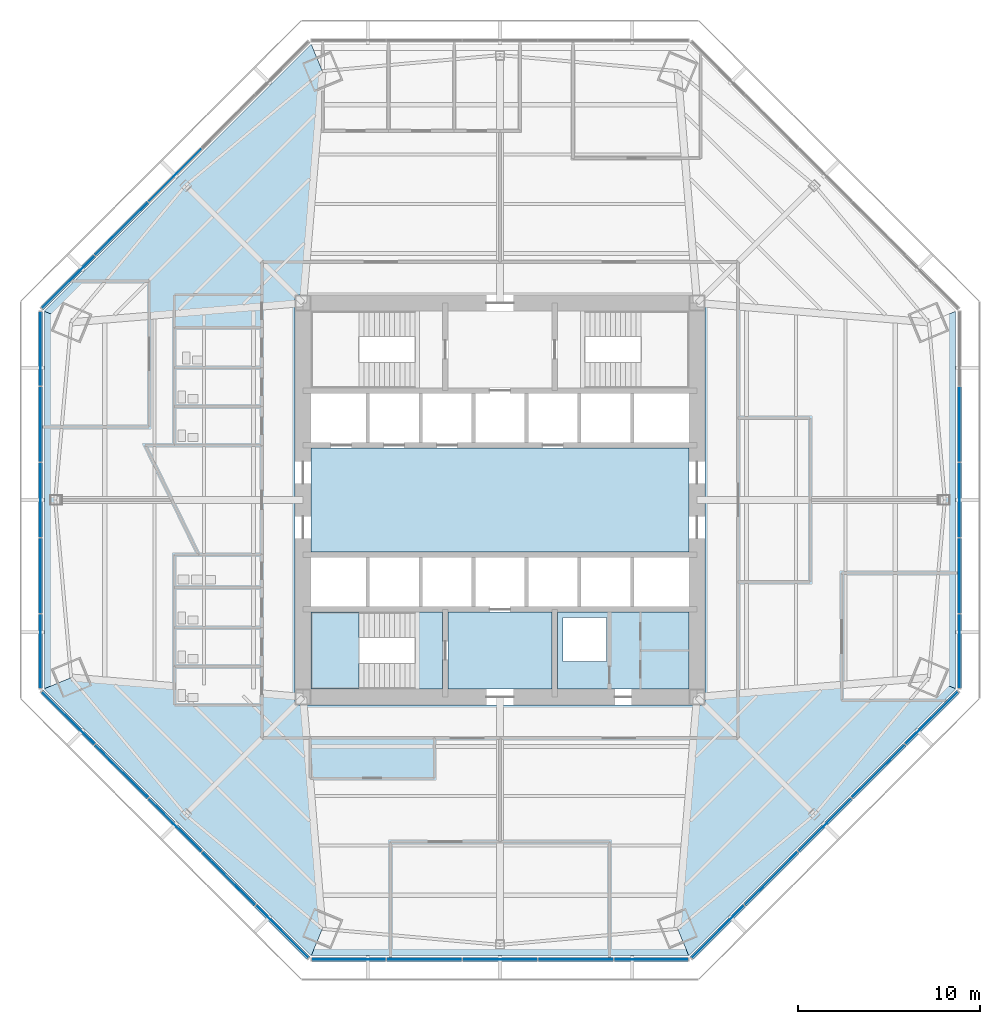
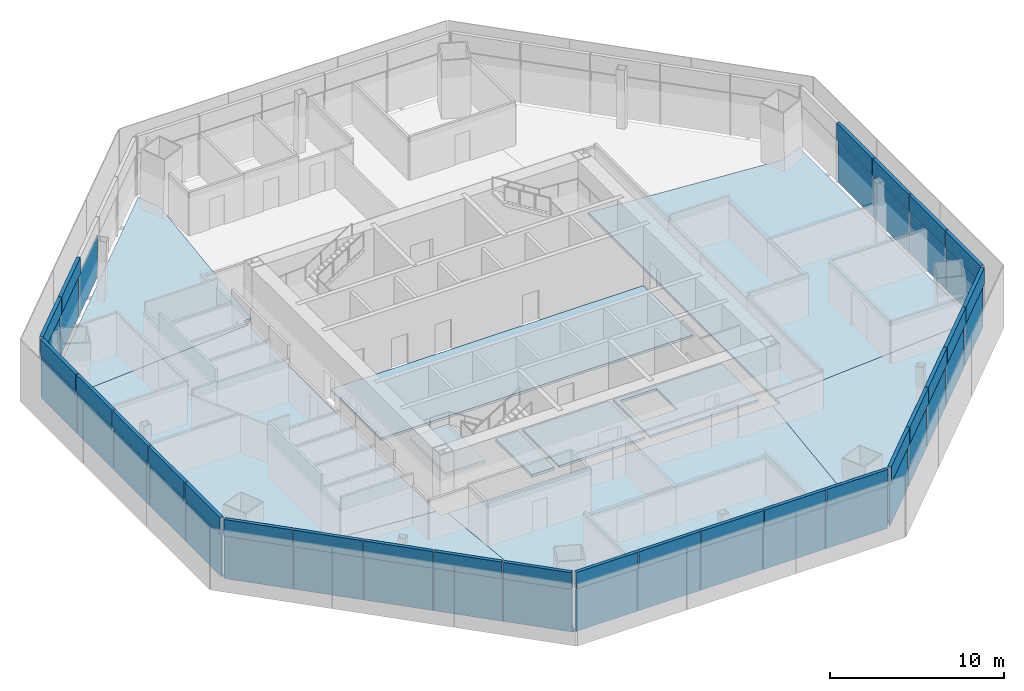
# One storey, part 8 of 16: 53 plates, 11 slabs, 7 elements without a shape of their own.
"""IFC4 building model written with IfcOpenShell, lengths in metres."""

from ifc_helpers import new_model, si_unit, direction, frame, origin, origin_2d, place, context, subcontext, project, spatial, polyline, rectangle, outline, extrude, source, transform, mapped, material, layer, layer_set, type_object, type_shapes, element, aggregate, save


model = new_model("IFC4")

# Units and contexts
model_context = context("Model", 3, precision=1e-05, world=origin(), true_north=direction((0.0, 1.0)))
body_context = subcontext(model_context, "Body", "Model", "MODEL_VIEW")
ifc_project = project(units=[si_unit("LENGTHUNIT", "METRE"), si_unit("AREAUNIT", "SQUARE_METRE"), si_unit("VOLUMEUNIT", "CUBIC_METRE"), si_unit("PLANEANGLEUNIT", "RADIAN"), si_unit("MASSUNIT", "GRAM", prefix="KILO")], contexts=[model_context])

# Site, building, storey
site_placement = place(None, origin())
site = spatial("IfcSite", under=ifc_project, at=site_placement, CompositionType="ELEMENT")
building_placement = place(site_placement, origin())
building = spatial("IfcBuilding", under=site, at=building_placement, Name="Mashrafa Tower", CompositionType="ELEMENT")
storey_placement = place(building_placement, frame((0.0, 0.0, 100.199951171875)))
storey = spatial("IfcBuildingStorey", under=building, at=storey_placement, Name="L22", CompositionType="ELEMENT", Elevation=100.199951171875)

# Slabs
ifc_material_1 = material(Name="Concrete C35/45", Category="concrete")
ifc_layer_1 = layer(ifc_material_1, 0.1650390625)
ifc_layer_set_1 = layer_set([ifc_layer_1], Name="Floor slab 165")
slab_type_1 = type_object("IfcSlabType", Name="Floor slab 165", PredefinedType="FLOOR", material=ifc_layer_set_1)
slab_1_placement = place(storey_placement, frame((0.0, 0.0, -0.1650390625)))
element("IfcSlab", 1, at=slab_1_placement, inside=storey, type_object=slab_type_1, Name="Floor slab L22 east bay", PredefinedType="FLOOR", context=body_context, shape_type="SweptSolid", body=[
    extrude(outline(polyline([(24.980224609375, 10.34716796875), (24.980224609375, -10.34716796875), (24.980224609375, -10.34716796875), (23.506591796875, -9.73681640625), (11.25, -10.762451171875), (11.25, 10.762451171875), (23.506591796875, 9.73681640625), (24.980224609375, 10.34716796875), (24.980224609375, 10.34716796875)])), origin(), (0.0, 0.0, 1.0), 0.1650390625),
])
slab_2_placement = place(storey_placement, frame((0.0, 0.0, -0.1650390625)))
element("IfcSlab", 2, at=slab_2_placement, inside=storey, type_object=slab_type_1, Name="Floor slab L22 north-west bay", PredefinedType="FLOOR", context=body_context, shape_type="SweptSolid", body=[
    extrude(outline(polyline([(-10.34716796875, 24.980224609375), (-9.73681640625, 23.506591796875), (-10.762451171875, 11.25), (-11.25, 11.25), (-11.25, 10.762451171875), (-23.506591796875, 9.73681640625), (-24.980224609375, 10.34716796875), (-10.34716796875, 24.980224609375)])), origin(), (0.0, 0.0, 1.0), 0.1650390625),
])
slab_3_placement = place(storey_placement, frame((0.0, 0.0, -0.1650390625)))
element("IfcSlab", 3, at=slab_3_placement, inside=storey, type_object=slab_type_1, Name="Floor slab L22 west bay", PredefinedType="FLOOR", context=body_context, shape_type="SweptSolid", body=[
    extrude(outline(polyline([(-24.980224609375, -10.34716796875), (-24.980224609375, 10.34716796875), (-24.980224609375, 10.34716796875), (-23.506591796875, 9.73681640625), (-11.25, 10.762451171875), (-11.25, -10.762451171875), (-23.506591796875, -9.73681640625), (-24.980224609375, -10.34716796875), (-24.980224609375, -10.34716796875)])), origin(), (0.0, 0.0, 1.0), 0.1650390625),
])
slab_4_placement = place(storey_placement, frame((0.0, 0.0, -0.1650390625)))
element("IfcSlab", 4, at=slab_4_placement, inside=storey, type_object=slab_type_1, Name="Floor slab L22 south-west bay", PredefinedType="FLOOR", context=body_context, shape_type="SweptSolid", body=[
    extrude(outline(polyline([(-24.980224609375, -10.34716796875), (-23.506591796875, -9.73681640625), (-11.25, -10.762451171875), (-11.25, -11.25), (-10.762451171875, -11.25), (-9.73681640625, -23.506591796875), (-10.34716796875, -24.980224609375), (-24.980224609375, -10.34716796875)])), origin(), (0.0, 0.0, 1.0), 0.1650390625),
])
slab_5_placement = place(storey_placement, frame((0.0, 0.0, -0.1650390625)))
element("IfcSlab", 5, at=slab_5_placement, inside=storey, type_object=slab_type_1, Name="Floor slab L22 south bay", PredefinedType="FLOOR", context=body_context, shape_type="SweptSolid", body=[
    extrude(outline(polyline([(-10.34716796875, -24.980224609375), (-10.34716796875, -24.980224609375), (-9.73681640625, -23.506591796875), (-10.762451171875, -11.25), (10.762451171875, -11.25), (9.73681640625, -23.506591796875), (10.34716796875, -24.980224609375), (10.34716796875, -24.980224609375), (-10.34716796875, -24.980224609375)])), origin(), (0.0, 0.0, 1.0), 0.1650390625),
])
slab_6_placement = place(storey_placement, frame((0.0, 0.0, -0.1650390625)))
element("IfcSlab", 6, at=slab_6_placement, inside=storey, type_object=slab_type_1, Name="Floor slab L22 south-east bay", PredefinedType="FLOOR", context=body_context, shape_type="SweptSolid", body=[
    extrude(outline(polyline([(10.34716796875, -24.980224609375), (9.73681640625, -23.506591796875), (10.762451171875, -11.25), (11.25, -11.25), (11.25, -10.762451171875), (23.506591796875, -9.73681640625), (24.980224609375, -10.34716796875), (10.34716796875, -24.980224609375)])), origin(), (0.0, 0.0, 1.0), 0.1650390625),
])
slab_7_placement = place(storey_placement, frame((0.0, 0.0, -0.1650390625)))
element("IfcSlab", 7, at=slab_7_placement, inside=storey, type_object=slab_type_1, Name="Core floor lift hall L22", PredefinedType="FLOOR", context=body_context, shape_type="SweptSolid", body=[
    extrude(outline(polyline([(-10.35009765625, 2.85009765625), (10.35009765625, 2.85009765625), (10.35009765625, -2.85009765625), (-10.35009765625, -2.85009765625), (-10.35009765625, 2.85009765625)])), origin(), (0.0, 0.0, 1.0), 0.1650390625),
])
slab_8_placement = place(storey_placement, frame((0.0, 0.0, -0.1650390625)))
element("IfcSlab", 8, at=slab_8_placement, inside=storey, type_object=slab_type_1, Name="Core floor riser and electrical band L22", PredefinedType="FLOOR", context=body_context, shape_type="SweptSolid", body=[
    extrude(outline(polyline([(10.35009765625, -6.14990234375), (10.35009765625, -10.35009765625), (3.14990234375, -10.35009765625), (3.14990234375, -6.14990234375), (10.35009765625, -6.14990234375)]), holes=[polyline([(3.449951171875, -8.85009765625), (5.85009765625, -8.85009765625), (5.85009765625, -6.449951171875), (3.449951171875, -6.449951171875), (3.449951171875, -8.85009765625)])]), origin(), (0.0, 0.0, 1.0), 0.1650390625),
])
slab_9_placement = place(storey_placement, frame((0.0, 0.0, -0.1650390625)))
element("IfcSlab", 9, at=slab_9_placement, inside=storey, type_object=slab_type_1, Name="Core floor fire-fighting lobby south L22", PredefinedType="FLOOR", context=body_context, shape_type="SweptSolid", body=[
    extrude(outline(polyline([(2.85009765625, -6.14990234375), (2.85009765625, -10.35009765625), (-2.85009765625, -10.35009765625), (-2.85009765625, -6.14990234375), (2.85009765625, -6.14990234375)])), origin(), (0.0, 0.0, 1.0), 0.1650390625),
])

# Stair, slabs
ifc_material_2 = material(Name="Exit stair 1400")
stair_type = type_object("IfcStairType", Name="Exit stair 1400", PredefinedType="HALF_TURN_STAIR", material=ifc_material_2)
stair_placement = place(storey_placement, origin())
stair = element("IfcStair", 10, at=stair_placement, inside=storey, type_object=stair_type, Name="Stair S3 L22", PredefinedType="HALF_TURN_STAIR")
ifc_material_3 = material(Name="Concrete C32/40", Category="concrete")
ifc_layer_2 = layer(ifc_material_3, 0.199951171875)
ifc_layer_set_2 = layer_set([ifc_layer_2], Name="Stair landing 200")
slab_type_2 = type_object("IfcSlabType", Name="Stair landing 200", PredefinedType="LANDING", material=ifc_layer_set_2)
slab_10_placement = place(storey_placement, frame((0.0, 0.0, -0.199951171875)))
slab_10 = element("IfcSlab", 11, at=slab_10_placement, type_object=slab_type_2, Name="S3 landing 1", PredefinedType="LANDING", context=body_context, shape_type="SweptSolid", body=[
    extrude(outline(polyline([(-4.659912109375, -10.35009765625), (-3.14990234375, -10.35009765625), (-3.14990234375, -6.14990234375), (-4.659912109375, -6.14990234375), (-4.659912109375, -10.35009765625)])), origin(), (0.0, 0.0, 1.0), 0.199951171875),
])
slab_11_placement = place(storey_placement, frame((0.0, 0.0, 1.900146484375)))
slab_11 = element("IfcSlab", 12, at=slab_11_placement, type_object=slab_type_2, Name="S3 landing 2", PredefinedType="LANDING", context=body_context, shape_type="SweptSolid", body=[
    extrude(outline(polyline([(-10.35009765625, -10.35009765625), (-7.719970703125, -10.35009765625), (-7.719970703125, -6.14990234375), (-10.35009765625, -6.14990234375), (-10.35009765625, -10.35009765625)])), origin(), (0.0, 0.0, 1.0), 0.199951171875),
])
aggregate(stair, [slab_10, slab_11])

# Curtain wall, plate
ifc_material_4 = material(Name="Unitised aluminium curtain wall", Category="aluminium")
curtain_wall_type = type_object("IfcCurtainWallType", Name="Office curtain wall, zone 1 CW-A 200 deep", PredefinedType="NOTDEFINED", material=ifc_material_4)
curtain_wall_1_placement = place(storey_placement, origin())
curtain_wall_1 = element("IfcCurtainWall", 13, at=curtain_wall_1_placement, inside=storey, type_object=curtain_wall_type, Name="Office curtain wall, zone 1 L22 east", PredefinedType="NOTDEFINED")
ifc_material_5 = material(Name="Insulated double glazing, low-e, neutral", Category="glass")
ifc_layer_3 = layer(ifc_material_5, 0.028076171875)
ifc_layer_set_3 = layer_set([ifc_layer_3], Name="Vision panel CW-A 28")
plate_type_1 = type_object("IfcPlateType", Name="Vision panel CW-A 28", PredefinedType="CURTAIN_PANEL", material=ifc_layer_set_3)
shared_shape_1 = source(origin(), body_context, "Body", "SweptSolid", [
    extrude(rectangle(XDim=4.053955078125, YDim=0.028076171875, at=origin_2d()), origin(), (0.0, 0.0, 1.0), 2.9599609375),
])
plate_1_placement = place(storey_placement, frame((25.18017578125, -8.28662109375, 0.0), z_axis=(0.0, 0.0, 1.0), x_axis=(0.0, 1.0, 0.0)))
plate_1 = element("IfcPlate", 14, at=plate_1_placement, type_object=plate_type_1, Name="CW-A vision panel 1", PredefinedType="CURTAIN_PANEL", context=body_context, shape_type="MappedRepresentation", body=[
    mapped(shared_shape_1, transform((0.0, 0.0, 0.0))),
])

curtain_wall_2_placement = place(storey_placement, origin())
curtain_wall_2 = element("IfcCurtainWall", 15, at=curtain_wall_2_placement, inside=storey, type_object=curtain_wall_type, Name="Office curtain wall, zone 1 L22 north-west", PredefinedType="NOTDEFINED")
plate_2_placement = place(storey_placement, frame((-23.66455078125, 11.945556640625, 0.0), z_axis=(0.0, 0.0, 1.0), x_axis=(-0.707106781187, -0.707106781187, 0.0)))
plate_2 = element("IfcPlate", 16, at=plate_2_placement, type_object=plate_type_1, Name="CW-A vision panel 5", PredefinedType="CURTAIN_PANEL", context=body_context, shape_type="MappedRepresentation", body=[
    mapped(shared_shape_1, transform((0.0, 0.0, 0.0))),
])

# Curtain wall, plates
curtain_wall_3_placement = place(storey_placement, origin())
curtain_wall_3 = element("IfcCurtainWall", 17, at=curtain_wall_3_placement, inside=storey, type_object=curtain_wall_type, Name="Office curtain wall, zone 1 L22 west", PredefinedType="NOTDEFINED")
plate_3_placement = place(storey_placement, frame((-25.18017578125, 8.28662109375, 0.0), z_axis=(0.0, 0.0, 1.0), x_axis=(0.0, -1.0, 0.0)))
plate_3 = element("IfcPlate", 18, at=plate_3_placement, type_object=plate_type_1, Name="CW-A vision panel 1", PredefinedType="CURTAIN_PANEL", context=body_context, shape_type="MappedRepresentation", body=[
    mapped(shared_shape_1, transform((0.0, 0.0, 0.0))),
])
plate_4_placement = place(storey_placement, frame((-25.18017578125, -8.28662109375, 0.0), z_axis=(0.0, 0.0, 1.0), x_axis=(0.0, -1.0, 0.0)))
plate_4 = element("IfcPlate", 19, at=plate_4_placement, type_object=plate_type_1, Name="CW-A vision panel 5", PredefinedType="CURTAIN_PANEL", context=body_context, shape_type="MappedRepresentation", body=[
    mapped(shared_shape_1, transform((0.0, 0.0, 0.0))),
])

curtain_wall_4_placement = place(storey_placement, origin())
curtain_wall_4 = element("IfcCurtainWall", 20, at=curtain_wall_4_placement, inside=storey, type_object=curtain_wall_type, Name="Office curtain wall, zone 1 L22 south-west", PredefinedType="NOTDEFINED")
plate_5_placement = place(storey_placement, frame((-23.66455078125, -11.945556640625, 0.0), z_axis=(0.0, 0.0, 1.0), x_axis=(0.707106781187, -0.707106781187, 0.0)))
plate_5 = element("IfcPlate", 21, at=plate_5_placement, type_object=plate_type_1, Name="CW-A vision panel 1", PredefinedType="CURTAIN_PANEL", context=body_context, shape_type="MappedRepresentation", body=[
    mapped(shared_shape_1, transform((0.0, 0.0, 0.0))),
])
plate_6_placement = place(storey_placement, frame((-11.945556640625, -23.66455078125, 0.0), z_axis=(0.0, 0.0, 1.0), x_axis=(0.707106781187, -0.707106781187, 0.0)))
plate_6 = element("IfcPlate", 22, at=plate_6_placement, type_object=plate_type_1, Name="CW-A vision panel 5", PredefinedType="CURTAIN_PANEL", context=body_context, shape_type="MappedRepresentation", body=[
    mapped(shared_shape_1, transform((0.0, 0.0, 0.0))),
])

curtain_wall_5_placement = place(storey_placement, origin())
curtain_wall_5 = element("IfcCurtainWall", 23, at=curtain_wall_5_placement, inside=storey, type_object=curtain_wall_type, Name="Office curtain wall, zone 1 L22 south", PredefinedType="NOTDEFINED")
plate_7_placement = place(storey_placement, frame((-8.28662109375, -25.18017578125, 0.0), z_axis=(0.0, 0.0, 1.0), x_axis=(1.0, 0.0, 0.0)))
plate_7 = element("IfcPlate", 24, at=plate_7_placement, type_object=plate_type_1, Name="CW-A vision panel 1", PredefinedType="CURTAIN_PANEL", context=body_context, shape_type="MappedRepresentation", body=[
    mapped(shared_shape_1, transform((0.0, 0.0, 0.0))),
])
plate_8_placement = place(storey_placement, frame((8.28662109375, -25.18017578125, 0.0), z_axis=(0.0, 0.0, 1.0), x_axis=(1.0, 0.0, 0.0)))
plate_8 = element("IfcPlate", 25, at=plate_8_placement, type_object=plate_type_1, Name="CW-A vision panel 5", PredefinedType="CURTAIN_PANEL", context=body_context, shape_type="MappedRepresentation", body=[
    mapped(shared_shape_1, transform((0.0, 0.0, 0.0))),
])

curtain_wall_6_placement = place(storey_placement, origin())
curtain_wall_6 = element("IfcCurtainWall", 26, at=curtain_wall_6_placement, inside=storey, type_object=curtain_wall_type, Name="Office curtain wall, zone 1 L22 south-east", PredefinedType="NOTDEFINED")
plate_9_placement = place(storey_placement, frame((11.945556640625, -23.66455078125, 0.0), z_axis=(0.0, 0.0, 1.0), x_axis=(0.707106781187, 0.707106781187, 0.0)))
plate_9 = element("IfcPlate", 27, at=plate_9_placement, type_object=plate_type_1, Name="CW-A vision panel 1", PredefinedType="CURTAIN_PANEL", context=body_context, shape_type="MappedRepresentation", body=[
    mapped(shared_shape_1, transform((0.0, 0.0, 0.0))),
])
plate_10_placement = place(storey_placement, frame((23.66455078125, -11.945556640625, 0.0), z_axis=(0.0, 0.0, 1.0), x_axis=(0.707106781187, 0.707106781187, 0.0)))
plate_10 = element("IfcPlate", 28, at=plate_10_placement, type_object=plate_type_1, Name="CW-A vision panel 5", PredefinedType="CURTAIN_PANEL", context=body_context, shape_type="MappedRepresentation", body=[
    mapped(shared_shape_1, transform((0.0, 0.0, 0.0))),
])

# Plate
ifc_material_6 = material(Name="Insulated aluminium spandrel panel", Category="aluminium")
ifc_layer_4 = layer(ifc_material_6, 0.219970703125)
ifc_layer_set_4 = layer_set([ifc_layer_4], Name="Spandrel panel CW-A 220")
plate_type_2 = type_object("IfcPlateType", Name="Spandrel panel CW-A 220", PredefinedType="CURTAIN_PANEL", material=ifc_layer_set_4)
shared_shape_2 = source(origin(), body_context, "Body", "SweptSolid", [
    extrude(rectangle(XDim=4.053955078125, YDim=0.219970703125, at=origin_2d()), origin(), (0.0, 0.0, 1.0), 1.159912109375),
])
plate_11_placement = place(storey_placement, frame((25.18017578125, -8.28662109375, 3.0400390625), z_axis=(0.0, 0.0, 1.0), x_axis=(0.0, 1.0, 0.0)))
plate_11 = element("IfcPlate", 29, at=plate_11_placement, type_object=plate_type_2, Name="CW-A spandrel panel 1", PredefinedType="CURTAIN_PANEL", context=body_context, shape_type="MappedRepresentation", body=[
    mapped(shared_shape_2, transform((0.0, 0.0, 0.0))),
])

plate_12_placement = place(storey_placement, frame((-23.66455078125, 11.945556640625, 3.0400390625), z_axis=(0.0, 0.0, 1.0), x_axis=(-0.707106781187, -0.707106781187, 0.0)))
plate_12 = element("IfcPlate", 30, at=plate_12_placement, type_object=plate_type_2, Name="CW-A spandrel panel 5", PredefinedType="CURTAIN_PANEL", context=body_context, shape_type="MappedRepresentation", body=[
    mapped(shared_shape_2, transform((0.0, 0.0, 0.0))),
])

plate_13_placement = place(storey_placement, frame((-25.18017578125, 8.28662109375, 3.0400390625), z_axis=(0.0, 0.0, 1.0), x_axis=(0.0, -1.0, 0.0)))
plate_13 = element("IfcPlate", 31, at=plate_13_placement, type_object=plate_type_2, Name="CW-A spandrel panel 1", PredefinedType="CURTAIN_PANEL", context=body_context, shape_type="MappedRepresentation", body=[
    mapped(shared_shape_2, transform((0.0, 0.0, 0.0))),
])

plate_14_placement = place(storey_placement, frame((-25.18017578125, -8.28662109375, 3.0400390625), z_axis=(0.0, 0.0, 1.0), x_axis=(0.0, -1.0, 0.0)))
plate_14 = element("IfcPlate", 32, at=plate_14_placement, type_object=plate_type_2, Name="CW-A spandrel panel 5", PredefinedType="CURTAIN_PANEL", context=body_context, shape_type="MappedRepresentation", body=[
    mapped(shared_shape_2, transform((0.0, 0.0, 0.0))),
])

plate_15_placement = place(storey_placement, frame((-23.66455078125, -11.945556640625, 3.0400390625), z_axis=(0.0, 0.0, 1.0), x_axis=(0.707106781187, -0.707106781187, 0.0)))
plate_15 = element("IfcPlate", 33, at=plate_15_placement, type_object=plate_type_2, Name="CW-A spandrel panel 1", PredefinedType="CURTAIN_PANEL", context=body_context, shape_type="MappedRepresentation", body=[
    mapped(shared_shape_2, transform((0.0, 0.0, 0.0))),
])

plate_16_placement = place(storey_placement, frame((-11.945556640625, -23.66455078125, 3.0400390625), z_axis=(0.0, 0.0, 1.0), x_axis=(0.707106781187, -0.707106781187, 0.0)))
plate_16 = element("IfcPlate", 34, at=plate_16_placement, type_object=plate_type_2, Name="CW-A spandrel panel 5", PredefinedType="CURTAIN_PANEL", context=body_context, shape_type="MappedRepresentation", body=[
    mapped(shared_shape_2, transform((0.0, 0.0, 0.0))),
])

plate_17_placement = place(storey_placement, frame((-8.28662109375, -25.18017578125, 3.0400390625), z_axis=(0.0, 0.0, 1.0), x_axis=(1.0, 0.0, 0.0)))
plate_17 = element("IfcPlate", 35, at=plate_17_placement, type_object=plate_type_2, Name="CW-A spandrel panel 1", PredefinedType="CURTAIN_PANEL", context=body_context, shape_type="MappedRepresentation", body=[
    mapped(shared_shape_2, transform((0.0, 0.0, 0.0))),
])

plate_18_placement = place(storey_placement, frame((8.28662109375, -25.18017578125, 3.0400390625), z_axis=(0.0, 0.0, 1.0), x_axis=(1.0, 0.0, 0.0)))
plate_18 = element("IfcPlate", 36, at=plate_18_placement, type_object=plate_type_2, Name="CW-A spandrel panel 5", PredefinedType="CURTAIN_PANEL", context=body_context, shape_type="MappedRepresentation", body=[
    mapped(shared_shape_2, transform((0.0, 0.0, 0.0))),
])

plate_19_placement = place(storey_placement, frame((11.945556640625, -23.66455078125, 3.0400390625), z_axis=(0.0, 0.0, 1.0), x_axis=(0.707106781187, 0.707106781187, 0.0)))
plate_19 = element("IfcPlate", 37, at=plate_19_placement, type_object=plate_type_2, Name="CW-A spandrel panel 1", PredefinedType="CURTAIN_PANEL", context=body_context, shape_type="MappedRepresentation", body=[
    mapped(shared_shape_2, transform((0.0, 0.0, 0.0))),
])

plate_20_placement = place(storey_placement, frame((23.66455078125, -11.945556640625, 3.0400390625), z_axis=(0.0, 0.0, 1.0), x_axis=(0.707106781187, 0.707106781187, 0.0)))
plate_20 = element("IfcPlate", 38, at=plate_20_placement, type_object=plate_type_2, Name="CW-A spandrel panel 5", PredefinedType="CURTAIN_PANEL", context=body_context, shape_type="MappedRepresentation", body=[
    mapped(shared_shape_2, transform((0.0, 0.0, 0.0))),
])

shared_shape_3 = source(origin(), body_context, "Body", "SweptSolid", [
    extrude(rectangle(XDim=4.08642578125, YDim=0.028076171875, at=origin_2d()), origin(), (0.0, 0.0, 1.0), 2.9599609375),
])
type_shapes(plate_type_1, [shared_shape_1, shared_shape_3])
plate_21_placement = place(storey_placement, frame((25.18017578125, -4.1513671875, 0.0), z_axis=(0.0, 0.0, 1.0), x_axis=(0.0, 1.0, 0.0)))
plate_21 = element("IfcPlate", 39, at=plate_21_placement, type_object=plate_type_1, Name="CW-A vision panel 2", PredefinedType="CURTAIN_PANEL", context=body_context, shape_type="MappedRepresentation", body=[
    mapped(shared_shape_3, transform((0.0, 0.0, 0.0))),
])

plate_22_placement = place(storey_placement, frame((25.18017578125, 0.0, 0.0), z_axis=(0.0, 0.0, 1.0), x_axis=(0.0, 1.0, 0.0)))
plate_22 = element("IfcPlate", 40, at=plate_22_placement, type_object=plate_type_1, Name="CW-A vision panel 3", PredefinedType="CURTAIN_PANEL", context=body_context, shape_type="MappedRepresentation", body=[
    mapped(shared_shape_3, transform((0.0, 0.0, 0.0))),
])

plate_23_placement = place(storey_placement, frame((25.18017578125, 4.1513671875, 0.0), z_axis=(0.0, 0.0, 1.0), x_axis=(0.0, 1.0, 0.0)))
plate_23 = element("IfcPlate", 41, at=plate_23_placement, type_object=plate_type_1, Name="CW-A vision panel 4", PredefinedType="CURTAIN_PANEL", context=body_context, shape_type="MappedRepresentation", body=[
    mapped(shared_shape_3, transform((0.0, 0.0, 0.0))),
])

plate_24_placement = place(storey_placement, frame((-17.80517578125, 17.80517578125, 0.0), z_axis=(0.0, 0.0, 1.0), x_axis=(-0.707106781187, -0.707106781187, 0.0)))
plate_24 = element("IfcPlate", 42, at=plate_24_placement, type_object=plate_type_1, Name="CW-A vision panel 3", PredefinedType="CURTAIN_PANEL", context=body_context, shape_type="MappedRepresentation", body=[
    mapped(shared_shape_3, transform((0.0, 0.0, 0.0))),
])

plate_25_placement = place(storey_placement, frame((-20.740478515625, 14.86962890625, 0.0), z_axis=(0.0, 0.0, 1.0), x_axis=(-0.707106781187, -0.707106781187, 0.0)))
plate_25 = element("IfcPlate", 43, at=plate_25_placement, type_object=plate_type_1, Name="CW-A vision panel 4", PredefinedType="CURTAIN_PANEL", context=body_context, shape_type="MappedRepresentation", body=[
    mapped(shared_shape_3, transform((0.0, 0.0, 0.0))),
])

plate_26_placement = place(storey_placement, frame((-25.18017578125, 4.1513671875, 0.0), z_axis=(0.0, 0.0, 1.0), x_axis=(0.0, -1.0, 0.0)))
plate_26 = element("IfcPlate", 44, at=plate_26_placement, type_object=plate_type_1, Name="CW-A vision panel 2", PredefinedType="CURTAIN_PANEL", context=body_context, shape_type="MappedRepresentation", body=[
    mapped(shared_shape_3, transform((0.0, 0.0, 0.0))),
])

plate_27_placement = place(storey_placement, frame((-25.18017578125, 0.0, 0.0), z_axis=(0.0, 0.0, 1.0), x_axis=(0.0, -1.0, 0.0)))
plate_27 = element("IfcPlate", 45, at=plate_27_placement, type_object=plate_type_1, Name="CW-A vision panel 3", PredefinedType="CURTAIN_PANEL", context=body_context, shape_type="MappedRepresentation", body=[
    mapped(shared_shape_3, transform((0.0, 0.0, 0.0))),
])

plate_28_placement = place(storey_placement, frame((-25.18017578125, -4.1513671875, 0.0), z_axis=(0.0, 0.0, 1.0), x_axis=(0.0, -1.0, 0.0)))
plate_28 = element("IfcPlate", 46, at=plate_28_placement, type_object=plate_type_1, Name="CW-A vision panel 4", PredefinedType="CURTAIN_PANEL", context=body_context, shape_type="MappedRepresentation", body=[
    mapped(shared_shape_3, transform((0.0, 0.0, 0.0))),
])

plate_29_placement = place(storey_placement, frame((-20.740478515625, -14.86962890625, 0.0), z_axis=(0.0, 0.0, 1.0), x_axis=(0.707106781187, -0.707106781187, 0.0)))
plate_29 = element("IfcPlate", 47, at=plate_29_placement, type_object=plate_type_1, Name="CW-A vision panel 2", PredefinedType="CURTAIN_PANEL", context=body_context, shape_type="MappedRepresentation", body=[
    mapped(shared_shape_3, transform((0.0, 0.0, 0.0))),
])

plate_30_placement = place(storey_placement, frame((-17.80517578125, -17.80517578125, 0.0), z_axis=(0.0, 0.0, 1.0), x_axis=(0.707106781187, -0.707106781187, 0.0)))
plate_30 = element("IfcPlate", 48, at=plate_30_placement, type_object=plate_type_1, Name="CW-A vision panel 3", PredefinedType="CURTAIN_PANEL", context=body_context, shape_type="MappedRepresentation", body=[
    mapped(shared_shape_3, transform((0.0, 0.0, 0.0))),
])

plate_31_placement = place(storey_placement, frame((-14.86962890625, -20.740478515625, 0.0), z_axis=(0.0, 0.0, 1.0), x_axis=(0.707106781187, -0.707106781187, 0.0)))
plate_31 = element("IfcPlate", 49, at=plate_31_placement, type_object=plate_type_1, Name="CW-A vision panel 4", PredefinedType="CURTAIN_PANEL", context=body_context, shape_type="MappedRepresentation", body=[
    mapped(shared_shape_3, transform((0.0, 0.0, 0.0))),
])

plate_32_placement = place(storey_placement, frame((-4.1513671875, -25.18017578125, 0.0), z_axis=(0.0, 0.0, 1.0), x_axis=(1.0, 0.0, 0.0)))
plate_32 = element("IfcPlate", 50, at=plate_32_placement, type_object=plate_type_1, Name="CW-A vision panel 2", PredefinedType="CURTAIN_PANEL", context=body_context, shape_type="MappedRepresentation", body=[
    mapped(shared_shape_3, transform((0.0, 0.0, 0.0))),
])

plate_33_placement = place(storey_placement, frame((0.0, -25.18017578125, 0.0), z_axis=(0.0, 0.0, 1.0), x_axis=(1.0, 0.0, 0.0)))
plate_33 = element("IfcPlate", 51, at=plate_33_placement, type_object=plate_type_1, Name="CW-A vision panel 3", PredefinedType="CURTAIN_PANEL", context=body_context, shape_type="MappedRepresentation", body=[
    mapped(shared_shape_3, transform((0.0, 0.0, 0.0))),
])

plate_34_placement = place(storey_placement, frame((4.1513671875, -25.18017578125, 0.0), z_axis=(0.0, 0.0, 1.0), x_axis=(1.0, 0.0, 0.0)))
plate_34 = element("IfcPlate", 52, at=plate_34_placement, type_object=plate_type_1, Name="CW-A vision panel 4", PredefinedType="CURTAIN_PANEL", context=body_context, shape_type="MappedRepresentation", body=[
    mapped(shared_shape_3, transform((0.0, 0.0, 0.0))),
])

plate_35_placement = place(storey_placement, frame((14.86962890625, -20.740478515625, 0.0), z_axis=(0.0, 0.0, 1.0), x_axis=(0.707106781187, 0.707106781187, 0.0)))
plate_35 = element("IfcPlate", 53, at=plate_35_placement, type_object=plate_type_1, Name="CW-A vision panel 2", PredefinedType="CURTAIN_PANEL", context=body_context, shape_type="MappedRepresentation", body=[
    mapped(shared_shape_3, transform((0.0, 0.0, 0.0))),
])

plate_36_placement = place(storey_placement, frame((17.80517578125, -17.80517578125, 0.0), z_axis=(0.0, 0.0, 1.0), x_axis=(0.707106781187, 0.707106781187, 0.0)))
plate_36 = element("IfcPlate", 54, at=plate_36_placement, type_object=plate_type_1, Name="CW-A vision panel 3", PredefinedType="CURTAIN_PANEL", context=body_context, shape_type="MappedRepresentation", body=[
    mapped(shared_shape_3, transform((0.0, 0.0, 0.0))),
])

plate_37_placement = place(storey_placement, frame((20.740478515625, -14.86962890625, 0.0), z_axis=(0.0, 0.0, 1.0), x_axis=(0.707106781187, 0.707106781187, 0.0)))
plate_37 = element("IfcPlate", 55, at=plate_37_placement, type_object=plate_type_1, Name="CW-A vision panel 4", PredefinedType="CURTAIN_PANEL", context=body_context, shape_type="MappedRepresentation", body=[
    mapped(shared_shape_3, transform((0.0, 0.0, 0.0))),
])

shared_shape_4 = source(origin(), body_context, "Body", "SweptSolid", [
    extrude(rectangle(XDim=4.08642578125, YDim=0.219970703125, at=origin_2d()), origin(), (0.0, 0.0, 1.0), 1.159912109375),
])
type_shapes(plate_type_2, [shared_shape_2, shared_shape_4])
plate_38_placement = place(storey_placement, frame((25.18017578125, -4.1513671875, 3.0400390625), z_axis=(0.0, 0.0, 1.0), x_axis=(0.0, 1.0, 0.0)))
plate_38 = element("IfcPlate", 56, at=plate_38_placement, type_object=plate_type_2, Name="CW-A spandrel panel 2", PredefinedType="CURTAIN_PANEL", context=body_context, shape_type="MappedRepresentation", body=[
    mapped(shared_shape_4, transform((0.0, 0.0, 0.0))),
])

plate_39_placement = place(storey_placement, frame((25.18017578125, 0.0, 3.0400390625), z_axis=(0.0, 0.0, 1.0), x_axis=(0.0, 1.0, 0.0)))
plate_39 = element("IfcPlate", 57, at=plate_39_placement, type_object=plate_type_2, Name="CW-A spandrel panel 3", PredefinedType="CURTAIN_PANEL", context=body_context, shape_type="MappedRepresentation", body=[
    mapped(shared_shape_4, transform((0.0, 0.0, 0.0))),
])

plate_40_placement = place(storey_placement, frame((25.18017578125, 4.1513671875, 3.0400390625), z_axis=(0.0, 0.0, 1.0), x_axis=(0.0, 1.0, 0.0)))
plate_40 = element("IfcPlate", 58, at=plate_40_placement, type_object=plate_type_2, Name="CW-A spandrel panel 4", PredefinedType="CURTAIN_PANEL", context=body_context, shape_type="MappedRepresentation", body=[
    mapped(shared_shape_4, transform((0.0, 0.0, 0.0))),
])

aggregate(curtain_wall_1, [plate_1, plate_11, plate_21, plate_38, plate_22, plate_39, plate_23, plate_40])

plate_41_placement = place(storey_placement, frame((-20.740478515625, 14.86962890625, 3.0400390625), z_axis=(0.0, 0.0, 1.0), x_axis=(-0.707106781187, -0.707106781187, 0.0)))
plate_41 = element("IfcPlate", 59, at=plate_41_placement, type_object=plate_type_2, Name="CW-A spandrel panel 4", PredefinedType="CURTAIN_PANEL", context=body_context, shape_type="MappedRepresentation", body=[
    mapped(shared_shape_4, transform((0.0, 0.0, 0.0))),
])

aggregate(curtain_wall_2, [plate_24, plate_25, plate_41, plate_2, plate_12])

plate_42_placement = place(storey_placement, frame((-25.18017578125, 4.1513671875, 3.0400390625), z_axis=(0.0, 0.0, 1.0), x_axis=(0.0, -1.0, 0.0)))
plate_42 = element("IfcPlate", 60, at=plate_42_placement, type_object=plate_type_2, Name="CW-A spandrel panel 2", PredefinedType="CURTAIN_PANEL", context=body_context, shape_type="MappedRepresentation", body=[
    mapped(shared_shape_4, transform((0.0, 0.0, 0.0))),
])

plate_43_placement = place(storey_placement, frame((-25.18017578125, 0.0, 3.0400390625), z_axis=(0.0, 0.0, 1.0), x_axis=(0.0, -1.0, 0.0)))
plate_43 = element("IfcPlate", 61, at=plate_43_placement, type_object=plate_type_2, Name="CW-A spandrel panel 3", PredefinedType="CURTAIN_PANEL", context=body_context, shape_type="MappedRepresentation", body=[
    mapped(shared_shape_4, transform((0.0, 0.0, 0.0))),
])

plate_44_placement = place(storey_placement, frame((-25.18017578125, -4.1513671875, 3.0400390625), z_axis=(0.0, 0.0, 1.0), x_axis=(0.0, -1.0, 0.0)))
plate_44 = element("IfcPlate", 62, at=plate_44_placement, type_object=plate_type_2, Name="CW-A spandrel panel 4", PredefinedType="CURTAIN_PANEL", context=body_context, shape_type="MappedRepresentation", body=[
    mapped(shared_shape_4, transform((0.0, 0.0, 0.0))),
])

aggregate(curtain_wall_3, [plate_3, plate_13, plate_26, plate_42, plate_27, plate_43, plate_28, plate_44, plate_4, plate_14])

plate_45_placement = place(storey_placement, frame((-20.740478515625, -14.86962890625, 3.0400390625), z_axis=(0.0, 0.0, 1.0), x_axis=(0.707106781187, -0.707106781187, 0.0)))
plate_45 = element("IfcPlate", 63, at=plate_45_placement, type_object=plate_type_2, Name="CW-A spandrel panel 2", PredefinedType="CURTAIN_PANEL", context=body_context, shape_type="MappedRepresentation", body=[
    mapped(shared_shape_4, transform((0.0, 0.0, 0.0))),
])

plate_46_placement = place(storey_placement, frame((-17.80517578125, -17.80517578125, 3.0400390625), z_axis=(0.0, 0.0, 1.0), x_axis=(0.707106781187, -0.707106781187, 0.0)))
plate_46 = element("IfcPlate", 64, at=plate_46_placement, type_object=plate_type_2, Name="CW-A spandrel panel 3", PredefinedType="CURTAIN_PANEL", context=body_context, shape_type="MappedRepresentation", body=[
    mapped(shared_shape_4, transform((0.0, 0.0, 0.0))),
])

plate_47_placement = place(storey_placement, frame((-14.86962890625, -20.740478515625, 3.0400390625), z_axis=(0.0, 0.0, 1.0), x_axis=(0.707106781187, -0.707106781187, 0.0)))
plate_47 = element("IfcPlate", 65, at=plate_47_placement, type_object=plate_type_2, Name="CW-A spandrel panel 4", PredefinedType="CURTAIN_PANEL", context=body_context, shape_type="MappedRepresentation", body=[
    mapped(shared_shape_4, transform((0.0, 0.0, 0.0))),
])

aggregate(curtain_wall_4, [plate_5, plate_15, plate_29, plate_45, plate_30, plate_46, plate_31, plate_47, plate_6, plate_16])

plate_48_placement = place(storey_placement, frame((-4.1513671875, -25.18017578125, 3.0400390625), z_axis=(0.0, 0.0, 1.0), x_axis=(1.0, 0.0, 0.0)))
plate_48 = element("IfcPlate", 66, at=plate_48_placement, type_object=plate_type_2, Name="CW-A spandrel panel 2", PredefinedType="CURTAIN_PANEL", context=body_context, shape_type="MappedRepresentation", body=[
    mapped(shared_shape_4, transform((0.0, 0.0, 0.0))),
])

plate_49_placement = place(storey_placement, frame((0.0, -25.18017578125, 3.0400390625), z_axis=(0.0, 0.0, 1.0), x_axis=(1.0, 0.0, 0.0)))
plate_49 = element("IfcPlate", 67, at=plate_49_placement, type_object=plate_type_2, Name="CW-A spandrel panel 3", PredefinedType="CURTAIN_PANEL", context=body_context, shape_type="MappedRepresentation", body=[
    mapped(shared_shape_4, transform((0.0, 0.0, 0.0))),
])

plate_50_placement = place(storey_placement, frame((4.1513671875, -25.18017578125, 3.0400390625), z_axis=(0.0, 0.0, 1.0), x_axis=(1.0, 0.0, 0.0)))
plate_50 = element("IfcPlate", 68, at=plate_50_placement, type_object=plate_type_2, Name="CW-A spandrel panel 4", PredefinedType="CURTAIN_PANEL", context=body_context, shape_type="MappedRepresentation", body=[
    mapped(shared_shape_4, transform((0.0, 0.0, 0.0))),
])

aggregate(curtain_wall_5, [plate_7, plate_17, plate_32, plate_48, plate_33, plate_49, plate_34, plate_50, plate_8, plate_18])

plate_51_placement = place(storey_placement, frame((14.86962890625, -20.740478515625, 3.0400390625), z_axis=(0.0, 0.0, 1.0), x_axis=(0.707106781187, 0.707106781187, 0.0)))
plate_51 = element("IfcPlate", 69, at=plate_51_placement, type_object=plate_type_2, Name="CW-A spandrel panel 2", PredefinedType="CURTAIN_PANEL", context=body_context, shape_type="MappedRepresentation", body=[
    mapped(shared_shape_4, transform((0.0, 0.0, 0.0))),
])

plate_52_placement = place(storey_placement, frame((17.80517578125, -17.80517578125, 3.0400390625), z_axis=(0.0, 0.0, 1.0), x_axis=(0.707106781187, 0.707106781187, 0.0)))
plate_52 = element("IfcPlate", 70, at=plate_52_placement, type_object=plate_type_2, Name="CW-A spandrel panel 3", PredefinedType="CURTAIN_PANEL", context=body_context, shape_type="MappedRepresentation", body=[
    mapped(shared_shape_4, transform((0.0, 0.0, 0.0))),
])

plate_53_placement = place(storey_placement, frame((20.740478515625, -14.86962890625, 3.0400390625), z_axis=(0.0, 0.0, 1.0), x_axis=(0.707106781187, 0.707106781187, 0.0)))
plate_53 = element("IfcPlate", 71, at=plate_53_placement, type_object=plate_type_2, Name="CW-A spandrel panel 4", PredefinedType="CURTAIN_PANEL", context=body_context, shape_type="MappedRepresentation", body=[
    mapped(shared_shape_4, transform((0.0, 0.0, 0.0))),
])

aggregate(curtain_wall_6, [plate_9, plate_19, plate_35, plate_51, plate_36, plate_52, plate_37, plate_53, plate_10, plate_20])

save(model, "model.ifc")
